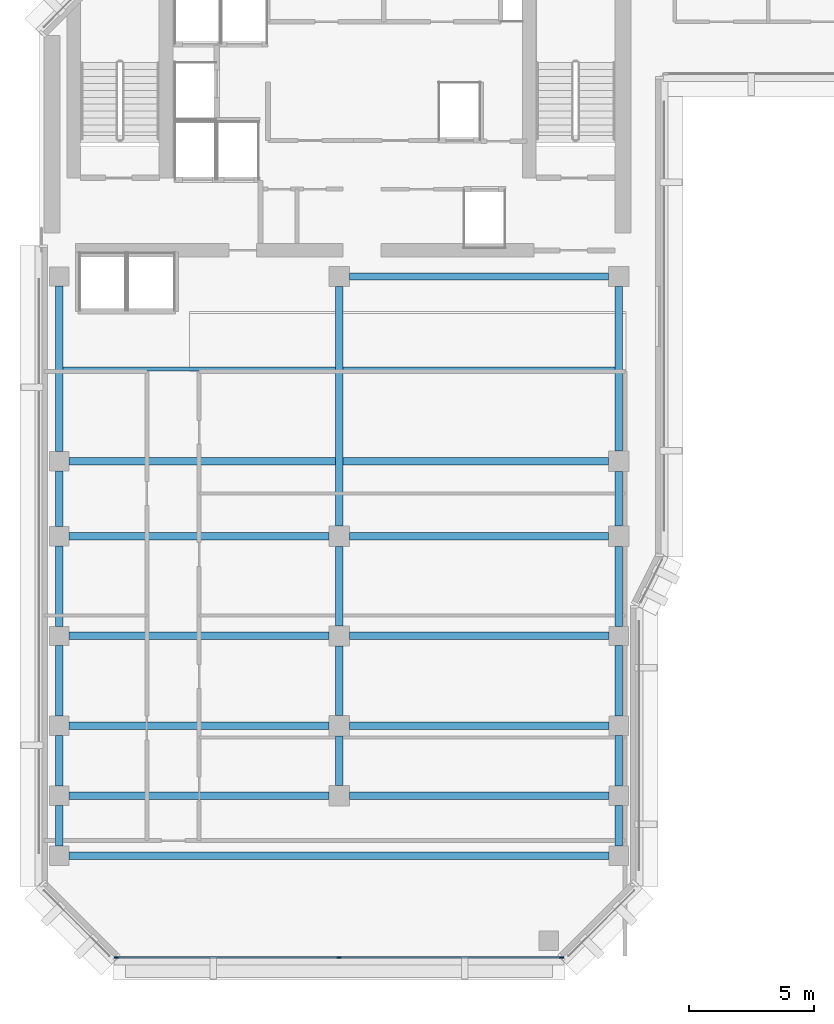
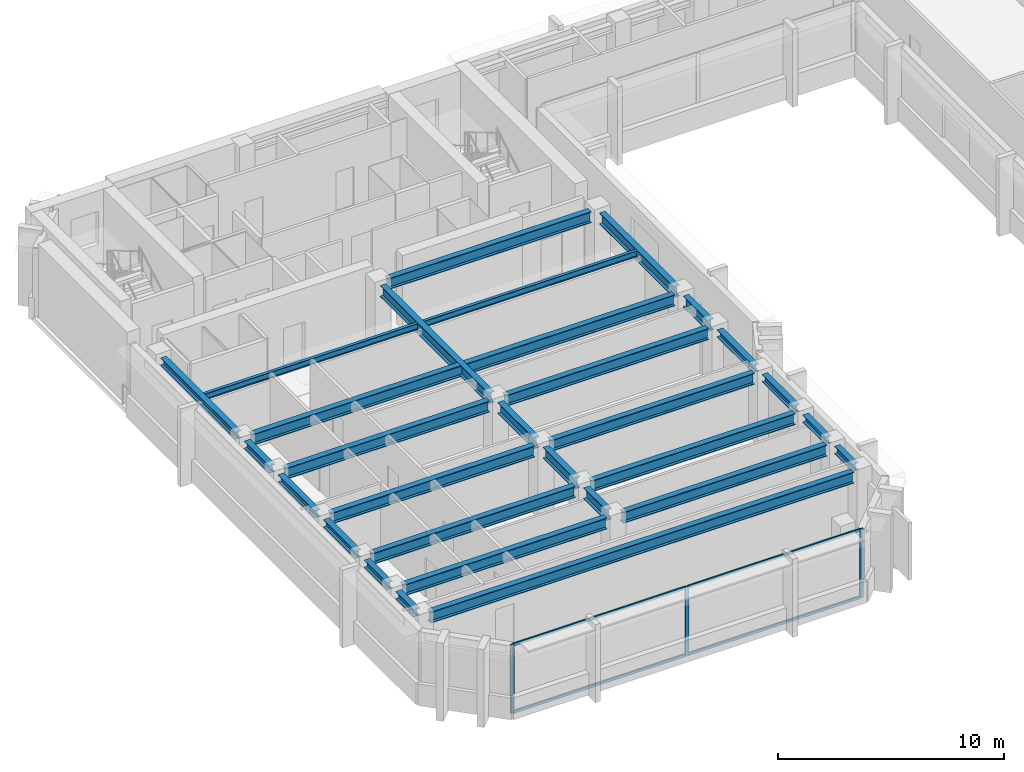
# One storey, part 2 of 11: 29 beams, 7 members, 1 element without a shape of its own.
"""IFC4 building model written with IfcOpenShell, lengths in metres."""

from ifc_helpers import new_model, si_unit, direction, frame, origin, origin_2d, place, context, subcontext, project, spatial, rectangle, i_section, extrude, material, layer, layer_set, material_profile, profile_set, type_object, element, aggregate, save


model = new_model("IFC4")

# Units and contexts
model_context = context("Model", 3, precision=1e-05, world=origin(), true_north=direction((0.0, 1.0)))
body_context = subcontext(model_context, "Body", "Model", "MODEL_VIEW")
ifc_project = project(units=[si_unit("LENGTHUNIT", "METRE"), si_unit("AREAUNIT", "SQUARE_METRE"), si_unit("VOLUMEUNIT", "CUBIC_METRE"), si_unit("PLANEANGLEUNIT", "RADIAN"), si_unit("MASSUNIT", "GRAM", prefix="KILO")], contexts=[model_context])

# Site, building, storey
site_placement = place(None, origin())
site = spatial("IfcSite", under=ifc_project, at=site_placement, CompositionType="ELEMENT")
building_placement = place(site_placement, origin())
building = spatial("IfcBuilding", under=site, at=building_placement, Name="Kefirva Bronze Tower", CompositionType="ELEMENT")
storey_placement = place(building_placement, frame((0.0, 0.0, 231.659912109375)))
storey = spatial("IfcBuildingStorey", under=building, at=storey_placement, Name="L56", CompositionType="ELEMENT", Elevation=231.659912109375)

# Curtain wall, members
ifc_material_1 = material(Name="Bronze anodised aluminium", Category="aluminium")
ifc_layer = layer(ifc_material_1, 0.179931640625, Name="Bronze anodised aluminium")
ifc_layer_set = layer_set([ifc_layer], Name="Bronze anodised aluminium")
curtain_wall_type = type_object("IfcCurtainWallType", Name="Unitised Bronze Ribbon Curtain Wall Zone 3", PredefinedType="USERDEFINED", material=ifc_layer_set)
curtain_wall_placement = place(storey_placement, origin())
curtain_wall = element("IfcCurtainWall", 1, at=curtain_wall_placement, inside=storey, type_object=curtain_wall_type, Name="L56 Curtain Wall 1", ObjectType="UNITISED CURTAIN WALL", PredefinedType="USERDEFINED")
ifc_material_profile_1 = material_profile(ifc_material_1, rectangle(XDim=0.074951171875, YDim=0.179931640625, at=origin_2d()), Name="ALU 75x180")
ifc_profile_set_1 = profile_set([ifc_material_profile_1], Name="Bronze anodised aluminium")
member_type_1 = type_object("IfcMemberType", Name="Bronze Mullion 75x180", PredefinedType="MULLION", material=ifc_profile_set_1)
member_1_placement = place(storey_placement, frame((3.092529296875, 5.919921875, 0.0), z_axis=(0.0, 0.0, 1.0), x_axis=(0.0, 1.0, 0.0)))
member_1 = element("IfcMember", 2, at=member_1_placement, type_object=member_type_1, Name="CW-03 mullion 1", PredefinedType="MULLION", context=body_context, shape_type="SweptSolid", body=[
    extrude(rectangle(XDim=0.074951171875, YDim=0.179931640625, at=origin_2d()), origin(), (0.0, 0.0, 1.0), 3.710205078125),
])
member_2_placement = place(storey_placement, frame((12.0, 5.919921875, 0.0), z_axis=(0.0, 0.0, 1.0), x_axis=(0.0, 1.0, 0.0)))
member_2 = element("IfcMember", 3, at=member_2_placement, type_object=member_type_1, Name="CW-03 mullion 2", PredefinedType="MULLION", context=body_context, shape_type="SweptSolid", body=[
    extrude(rectangle(XDim=0.074951171875, YDim=0.179931640625, at=origin_2d()), origin(), (0.0, 0.0, 1.0), 3.710205078125),
])
member_3_placement = place(storey_placement, frame((20.907470703125, 5.919921875, 0.0), z_axis=(0.0, 0.0, 1.0), x_axis=(0.0, 1.0, 0.0)))
member_3 = element("IfcMember", 4, at=member_3_placement, type_object=member_type_1, Name="CW-03 mullion 3", PredefinedType="MULLION", context=body_context, shape_type="SweptSolid", body=[
    extrude(rectangle(XDim=0.074951171875, YDim=0.179931640625, at=origin_2d()), origin(), (0.0, 0.0, 1.0), 3.710205078125),
])
ifc_material_profile_2 = material_profile(ifc_material_1, rectangle(XDim=0.074951171875, YDim=0.14990234375, at=origin_2d()), Name="ALU 75x150")
ifc_profile_set_2 = profile_set([ifc_material_profile_2], Name="Bronze anodised aluminium")
member_type_2 = type_object("IfcMemberType", Name="Bronze Transom 75x150", PredefinedType="USERDEFINED", material=ifc_profile_set_2)
member_4_placement = place(storey_placement, frame((3.1298828125, 5.919921875, 0.03759765625), z_axis=(1.0, 0.0, 0.0), x_axis=(0.0, 1.0, 0.0)))
member_4 = element("IfcMember", 5, at=member_4_placement, type_object=member_type_2, Name="CW-03 transom 1.1", ObjectType="TRANSOM", PredefinedType="USERDEFINED", context=body_context, shape_type="SweptSolid", body=[
    extrude(rectangle(XDim=0.074951171875, YDim=0.14990234375, at=origin_2d()), origin(), (0.0, 0.0, 1.0), 8.83251953125),
])
member_5_placement = place(storey_placement, frame((3.1298828125, 5.919921875, 3.672607421875), z_axis=(1.0, 0.0, 0.0), x_axis=(0.0, 1.0, 0.0)))
member_5 = element("IfcMember", 6, at=member_5_placement, type_object=member_type_2, Name="CW-03 transom 1.2", ObjectType="TRANSOM", PredefinedType="USERDEFINED", context=body_context, shape_type="SweptSolid", body=[
    extrude(rectangle(XDim=0.074951171875, YDim=0.14990234375, at=origin_2d()), origin(), (0.0, 0.0, 1.0), 8.83251953125),
])
member_6_placement = place(storey_placement, frame((12.03759765625, 5.919921875, 0.03759765625), z_axis=(1.0, 0.0, 0.0), x_axis=(0.0, 1.0, 0.0)))
member_6 = element("IfcMember", 7, at=member_6_placement, type_object=member_type_2, Name="CW-03 transom 2.1", ObjectType="TRANSOM", PredefinedType="USERDEFINED", context=body_context, shape_type="SweptSolid", body=[
    extrude(rectangle(XDim=0.074951171875, YDim=0.14990234375, at=origin_2d()), origin(), (0.0, 0.0, 1.0), 8.83251953125),
])
member_7_placement = place(storey_placement, frame((12.03759765625, 5.919921875, 3.672607421875), z_axis=(1.0, 0.0, 0.0), x_axis=(0.0, 1.0, 0.0)))
member_7 = element("IfcMember", 8, at=member_7_placement, type_object=member_type_2, Name="CW-03 transom 2.2", ObjectType="TRANSOM", PredefinedType="USERDEFINED", context=body_context, shape_type="SweptSolid", body=[
    extrude(rectangle(XDim=0.074951171875, YDim=0.14990234375, at=origin_2d()), origin(), (0.0, 0.0, 1.0), 8.83251953125),
])
aggregate(curtain_wall, [member_1, member_2, member_3, member_4, member_5, member_6, member_7])

# Beams
ifc_material_2 = material(Name="Steel S355", Category="steel")
ifc_material_profile_3 = material_profile(ifc_material_2, i_section(OverallWidth=0.159912109375, OverallDepth=0.330078125, WebThickness=0.007568359375, FlangeThickness=0.011474609375, at=origin_2d()), Name="IPE 330")
ifc_profile_set_3 = profile_set([ifc_material_profile_3], Name="Steel S355")
beam_type_1 = type_object("IfcBeamType", Name="Steel Floor Joist IPE 330", PredefinedType="JOIST", material=ifc_profile_set_3)
for number, where, z_axis, x_axis, name in (
    (9, (0.949951171875, 29.489990234375, 3.545166015625), (1.0, 0.0, 0.0), (0.0, 1.0, 0.0), "L56 JST-L56-0-294"),
    (10, (12.14990234375, 29.5, 3.545166015625), (1.0, 0.0, 0.0), (0.0, 1.0, 0.0), "L56 JST-L56-12-295"),
):
    element("IfcBeam", number, at=place(storey_placement, frame(where, z_axis=z_axis, x_axis=x_axis)), inside=storey, type_object=beam_type_1, Name=name, PredefinedType="JOIST", context=body_context, shape_type="SweptSolid", body=[
        extrude(i_section(OverallWidth=0.159912109375, OverallDepth=0.330078125, WebThickness=0.007568359375, FlangeThickness=0.011474609375, at=origin_2d()), origin(), (0.0, 0.0, 1.0), 10.900146484375),
    ])
ifc_material_profile_4 = material_profile(ifc_material_2, i_section(OverallWidth=0.300048828125, OverallDepth=0.60009765625, WebThickness=0.015380859375, FlangeThickness=0.030029296875, at=origin_2d()), Name="HEB 600")
ifc_profile_set_4 = profile_set([ifc_material_profile_4], Name="Steel S355")
beam_type_2 = type_object("IfcBeamType", Name="Steel Girder HEB 600", PredefinedType="USERDEFINED", material=ifc_profile_set_4)
beam_1_placement = place(storey_placement, frame((1.18994140625, 10.0, 3.41015625), z_axis=(1.0, 0.0, 0.0), x_axis=(0.0, 1.0, 0.0)))
element("IfcBeam", 11, at=beam_1_placement, inside=storey, type_object=beam_type_2, Name="L56 BM-L56-EW-0-100", ObjectType="GIRDER", PredefinedType="USERDEFINED", context=body_context, shape_type="SweptSolid", body=[
    extrude(i_section(OverallWidth=0.300048828125, OverallDepth=0.60009765625, WebThickness=0.015380859375, FlangeThickness=0.030029296875, at=origin_2d()), origin(), (0.0, 0.0, 1.0), 21.6201171875),
])
for number, where, z_axis, x_axis, name in (
    (12, (1.18994140625, 12.39990234375, 3.41015625), (1.0, 0.0, 0.0), (0.0, 1.0, 0.0), "L56 BM-L56-EW-0-124"),
    (13, (12.409912109375, 12.39990234375, 3.41015625), (1.0, 0.0, 0.0), (0.0, 1.0, 0.0), "L56 BM-L56-EW-12-124"),
    (14, (1.18994140625, 15.199951171875, 3.41015625), (1.0, 0.0, 0.0), (0.0, 1.0, 0.0), "L56 BM-L56-EW-0-152"),
    (15, (12.409912109375, 15.199951171875, 3.41015625), (1.0, 0.0, 0.0), (0.0, 1.0, 0.0), "L56 BM-L56-EW-12-152"),
    (16, (1.18994140625, 18.800048828125, 3.41015625), (1.0, 0.0, 0.0), (0.0, 1.0, 0.0), "L56 BM-L56-EW-0-188"),
    (17, (12.409912109375, 18.800048828125, 3.41015625), (1.0, 0.0, 0.0), (0.0, 1.0, 0.0), "L56 BM-L56-EW-12-188"),
    (18, (1.18994140625, 22.800048828125, 3.41015625), (1.0, 0.0, 0.0), (0.0, 1.0, 0.0), "L56 BM-L56-EW-0-228"),
):
    element("IfcBeam", number, at=place(storey_placement, frame(where, z_axis=z_axis, x_axis=x_axis)), inside=storey, type_object=beam_type_2, Name=name, ObjectType="GIRDER", PredefinedType="USERDEFINED", context=body_context, shape_type="SweptSolid", body=[
        extrude(i_section(OverallWidth=0.300048828125, OverallDepth=0.60009765625, WebThickness=0.015380859375, FlangeThickness=0.030029296875, at=origin_2d()), origin(), (0.0, 0.0, 1.0), 10.400146484375),
    ])
beam_2_placement = place(storey_placement, frame((12.409912109375, 22.800048828125, 3.41015625), z_axis=(1.0, 0.0, 0.0), x_axis=(0.0, 1.0, 0.0)))
element("IfcBeam", 19, at=beam_2_placement, inside=storey, type_object=beam_type_2, Name="L56 BM-L56-EW-12-228", ObjectType="GIRDER", PredefinedType="USERDEFINED", context=body_context, shape_type="SweptSolid", body=[
    extrude(i_section(OverallWidth=0.300048828125, OverallDepth=0.60009765625, WebThickness=0.015380859375, FlangeThickness=0.030029296875, at=origin_2d()), origin(), (0.0, 0.0, 1.0), 10.380126953125),
])
beam_3_placement = place(storey_placement, frame((1.18994140625, 25.800048828125, 3.41015625), z_axis=(1.0, 0.0, 0.0), x_axis=(0.0, 1.0, 0.0)))
element("IfcBeam", 20, at=beam_3_placement, inside=storey, type_object=beam_type_2, Name="L56 BM-L56-EW-0-258", ObjectType="GIRDER", PredefinedType="USERDEFINED", context=body_context, shape_type="SweptSolid", body=[
    extrude(i_section(OverallWidth=0.300048828125, OverallDepth=0.60009765625, WebThickness=0.015380859375, FlangeThickness=0.030029296875, at=origin_2d()), origin(), (0.0, 0.0, 1.0), 21.60009765625),
])
beam_4_placement = place(storey_placement, frame((12.409912109375, 33.199951171875, 3.41015625), z_axis=(1.0, 0.0, 0.0), x_axis=(0.0, 1.0, 0.0)))
element("IfcBeam", 21, at=beam_4_placement, inside=storey, type_object=beam_type_2, Name="L56 BM-L56-EW-12-332", ObjectType="GIRDER", PredefinedType="USERDEFINED", context=body_context, shape_type="SweptSolid", body=[
    extrude(i_section(OverallWidth=0.300048828125, OverallDepth=0.60009765625, WebThickness=0.015380859375, FlangeThickness=0.030029296875, at=origin_2d()), origin(), (0.0, 0.0, 1.0), 10.380126953125),
])
beam_5_placement = place(storey_placement, frame((12.0, 12.81005859375, 3.41015625), z_axis=(0.0, 1.0, 0.0), x_axis=(-1.0, 0.0, 0.0)))
element("IfcBeam", 22, at=beam_5_placement, inside=storey, type_object=beam_type_2, Name="L56 BM-L56-NS-120-12", ObjectType="GIRDER", PredefinedType="USERDEFINED", context=body_context, shape_type="SweptSolid", body=[
    extrude(i_section(OverallWidth=0.300048828125, OverallDepth=0.60009765625, WebThickness=0.015380859375, FlangeThickness=0.030029296875, at=origin_2d()), origin(), (0.0, 0.0, 1.0), 1.97998046875),
])
beam_6_placement = place(storey_placement, frame((12.0, 15.610107421875, 3.41015625), z_axis=(0.0, 1.0, 0.0), x_axis=(-1.0, 0.0, 0.0)))
element("IfcBeam", 23, at=beam_6_placement, inside=storey, type_object=beam_type_2, Name="L56 BM-L56-NS-120-15", ObjectType="GIRDER", PredefinedType="USERDEFINED", context=body_context, shape_type="SweptSolid", body=[
    extrude(i_section(OverallWidth=0.300048828125, OverallDepth=0.60009765625, WebThickness=0.015380859375, FlangeThickness=0.030029296875, at=origin_2d()), origin(), (0.0, 0.0, 1.0), 2.77978515625),
])
beam_7_placement = place(storey_placement, frame((12.0, 19.2099609375, 3.41015625), z_axis=(0.0, 1.0, 0.0), x_axis=(-1.0, 0.0, 0.0)))
element("IfcBeam", 24, at=beam_7_placement, inside=storey, type_object=beam_type_2, Name="L56 BM-L56-NS-120-18", ObjectType="GIRDER", PredefinedType="USERDEFINED", context=body_context, shape_type="SweptSolid", body=[
    extrude(i_section(OverallWidth=0.300048828125, OverallDepth=0.60009765625, WebThickness=0.015380859375, FlangeThickness=0.030029296875, at=origin_2d()), origin(), (0.0, 0.0, 1.0), 3.179931640625),
])
beam_8_placement = place(storey_placement, frame((12.0, 23.2099609375, 3.41015625), z_axis=(0.0, 1.0, 0.0), x_axis=(-1.0, 0.0, 0.0)))
element("IfcBeam", 25, at=beam_8_placement, inside=storey, type_object=beam_type_2, Name="L56 BM-L56-NS-120-22", ObjectType="GIRDER", PredefinedType="USERDEFINED", context=body_context, shape_type="SweptSolid", body=[
    extrude(i_section(OverallWidth=0.300048828125, OverallDepth=0.60009765625, WebThickness=0.015380859375, FlangeThickness=0.030029296875, at=origin_2d()), origin(), (0.0, 0.0, 1.0), 9.580078125),
])
beam_9_placement = place(storey_placement, frame((23.199951171875, 23.2099609375, 3.41015625), z_axis=(0.0, 1.0, 0.0), x_axis=(-1.0, 0.0, 0.0)))
element("IfcBeam", 26, at=beam_9_placement, inside=storey, type_object=beam_type_2, Name="L56 BM-L56-NS-232-22", ObjectType="GIRDER", PredefinedType="USERDEFINED", context=body_context, shape_type="SweptSolid", body=[
    extrude(i_section(OverallWidth=0.300048828125, OverallDepth=0.60009765625, WebThickness=0.015380859375, FlangeThickness=0.030029296875, at=origin_2d()), origin(), (0.0, 0.0, 1.0), 2.179931640625),
])
beam_10_placement = place(storey_placement, frame((23.199951171875, 26.2099609375, 3.41015625), z_axis=(0.0, 1.0, 0.0), x_axis=(-1.0, 0.0, 0.0)))
element("IfcBeam", 27, at=beam_10_placement, inside=storey, type_object=beam_type_2, Name="L56 BM-L56-NS-232-25", ObjectType="GIRDER", PredefinedType="USERDEFINED", context=body_context, shape_type="SweptSolid", body=[
    extrude(i_section(OverallWidth=0.300048828125, OverallDepth=0.60009765625, WebThickness=0.015380859375, FlangeThickness=0.030029296875, at=origin_2d()), origin(), (0.0, 0.0, 1.0), 6.580078125),
])
ifc_material_profile_5 = material_profile(ifc_material_2, i_section(OverallWidth=0.300048828125, OverallDepth=0.39990234375, WebThickness=0.013427734375, FlangeThickness=0.02392578125, at=origin_2d()), Name="HEB 400")
ifc_profile_set_5 = profile_set([ifc_material_profile_5], Name="Steel S355")
beam_type_3 = type_object("IfcBeamType", Name="Steel Spandrel HEB 400 Ext", PredefinedType="SPANDREL", material=ifc_profile_set_5)
beam_11_placement = place(storey_placement, frame((0.800048828125, 10.389892578125, 3.510009765625), z_axis=(0.0, 1.0, 0.0), x_axis=(-1.0, 0.0, 0.0)))
element("IfcBeam", 28, at=beam_11_placement, inside=storey, type_object=beam_type_3, Name="L56 BM-L56-NS-8-10", PredefinedType="SPANDREL", context=body_context, shape_type="SweptSolid", body=[
    extrude(i_section(OverallWidth=0.300048828125, OverallDepth=0.39990234375, WebThickness=0.013427734375, FlangeThickness=0.02392578125, at=origin_2d()), origin(), (0.0, 0.0, 1.0), 1.6201171875),
])
beam_12_placement = place(storey_placement, frame((0.800048828125, 12.7900390625, 3.510009765625), z_axis=(0.0, 1.0, 0.0), x_axis=(-1.0, 0.0, 0.0)))
element("IfcBeam", 29, at=beam_12_placement, inside=storey, type_object=beam_type_3, Name="L56 BM-L56-NS-8-12", PredefinedType="SPANDREL", context=body_context, shape_type="SweptSolid", body=[
    extrude(i_section(OverallWidth=0.300048828125, OverallDepth=0.39990234375, WebThickness=0.013427734375, FlangeThickness=0.02392578125, at=origin_2d()), origin(), (0.0, 0.0, 1.0), 2.02001953125),
])
beam_13_placement = place(storey_placement, frame((0.800048828125, 15.590087890625, 3.510009765625), z_axis=(0.0, 1.0, 0.0), x_axis=(-1.0, 0.0, 0.0)))
element("IfcBeam", 30, at=beam_13_placement, inside=storey, type_object=beam_type_3, Name="L56 BM-L56-NS-8-15", PredefinedType="SPANDREL", context=body_context, shape_type="SweptSolid", body=[
    extrude(i_section(OverallWidth=0.300048828125, OverallDepth=0.39990234375, WebThickness=0.013427734375, FlangeThickness=0.02392578125, at=origin_2d()), origin(), (0.0, 0.0, 1.0), 2.81982421875),
])
beam_14_placement = place(storey_placement, frame((0.800048828125, 19.18994140625, 3.510009765625), z_axis=(0.0, 1.0, 0.0), x_axis=(-1.0, 0.0, 0.0)))
element("IfcBeam", 31, at=beam_14_placement, inside=storey, type_object=beam_type_3, Name="L56 BM-L56-NS-8-18", PredefinedType="SPANDREL", context=body_context, shape_type="SweptSolid", body=[
    extrude(i_section(OverallWidth=0.300048828125, OverallDepth=0.39990234375, WebThickness=0.013427734375, FlangeThickness=0.02392578125, at=origin_2d()), origin(), (0.0, 0.0, 1.0), 3.219970703125),
])
beam_15_placement = place(storey_placement, frame((0.800048828125, 23.18994140625, 3.510009765625), z_axis=(0.0, 1.0, 0.0), x_axis=(-1.0, 0.0, 0.0)))
element("IfcBeam", 32, at=beam_15_placement, inside=storey, type_object=beam_type_3, Name="L56 BM-L56-NS-8-22", PredefinedType="SPANDREL", context=body_context, shape_type="SweptSolid", body=[
    extrude(i_section(OverallWidth=0.300048828125, OverallDepth=0.39990234375, WebThickness=0.013427734375, FlangeThickness=0.02392578125, at=origin_2d()), origin(), (0.0, 0.0, 1.0), 2.219970703125),
])
beam_16_placement = place(storey_placement, frame((0.800048828125, 26.18994140625, 3.510009765625), z_axis=(0.0, 1.0, 0.0), x_axis=(-1.0, 0.0, 0.0)))
element("IfcBeam", 33, at=beam_16_placement, inside=storey, type_object=beam_type_3, Name="L56 BM-L56-NS-8-25", PredefinedType="SPANDREL", context=body_context, shape_type="SweptSolid", body=[
    extrude(i_section(OverallWidth=0.300048828125, OverallDepth=0.39990234375, WebThickness=0.013427734375, FlangeThickness=0.02392578125, at=origin_2d()), origin(), (0.0, 0.0, 1.0), 6.6201171875),
])
beam_17_placement = place(storey_placement, frame((23.199951171875, 10.389892578125, 3.510009765625), z_axis=(0.0, 1.0, 0.0), x_axis=(-1.0, 0.0, 0.0)))
element("IfcBeam", 34, at=beam_17_placement, inside=storey, type_object=beam_type_3, Name="L56 BM-L56-NS-232-10", PredefinedType="SPANDREL", context=body_context, shape_type="SweptSolid", body=[
    extrude(i_section(OverallWidth=0.300048828125, OverallDepth=0.39990234375, WebThickness=0.013427734375, FlangeThickness=0.02392578125, at=origin_2d()), origin(), (0.0, 0.0, 1.0), 1.6201171875),
])
beam_18_placement = place(storey_placement, frame((23.199951171875, 12.7900390625, 3.510009765625), z_axis=(0.0, 1.0, 0.0), x_axis=(-1.0, 0.0, 0.0)))
element("IfcBeam", 35, at=beam_18_placement, inside=storey, type_object=beam_type_3, Name="L56 BM-L56-NS-232-12", PredefinedType="SPANDREL", context=body_context, shape_type="SweptSolid", body=[
    extrude(i_section(OverallWidth=0.300048828125, OverallDepth=0.39990234375, WebThickness=0.013427734375, FlangeThickness=0.02392578125, at=origin_2d()), origin(), (0.0, 0.0, 1.0), 2.02001953125),
])
beam_19_placement = place(storey_placement, frame((23.199951171875, 15.590087890625, 3.510009765625), z_axis=(0.0, 1.0, 0.0), x_axis=(-1.0, 0.0, 0.0)))
element("IfcBeam", 36, at=beam_19_placement, inside=storey, type_object=beam_type_3, Name="L56 BM-L56-NS-232-15", PredefinedType="SPANDREL", context=body_context, shape_type="SweptSolid", body=[
    extrude(i_section(OverallWidth=0.300048828125, OverallDepth=0.39990234375, WebThickness=0.013427734375, FlangeThickness=0.02392578125, at=origin_2d()), origin(), (0.0, 0.0, 1.0), 2.81982421875),
])
beam_20_placement = place(storey_placement, frame((23.199951171875, 19.18994140625, 3.510009765625), z_axis=(0.0, 1.0, 0.0), x_axis=(-1.0, 0.0, 0.0)))
element("IfcBeam", 37, at=beam_20_placement, inside=storey, type_object=beam_type_3, Name="L56 BM-L56-NS-232-18", PredefinedType="SPANDREL", context=body_context, shape_type="SweptSolid", body=[
    extrude(i_section(OverallWidth=0.300048828125, OverallDepth=0.39990234375, WebThickness=0.013427734375, FlangeThickness=0.02392578125, at=origin_2d()), origin(), (0.0, 0.0, 1.0), 3.199951171875),
])

save(model, "model.ifc")
